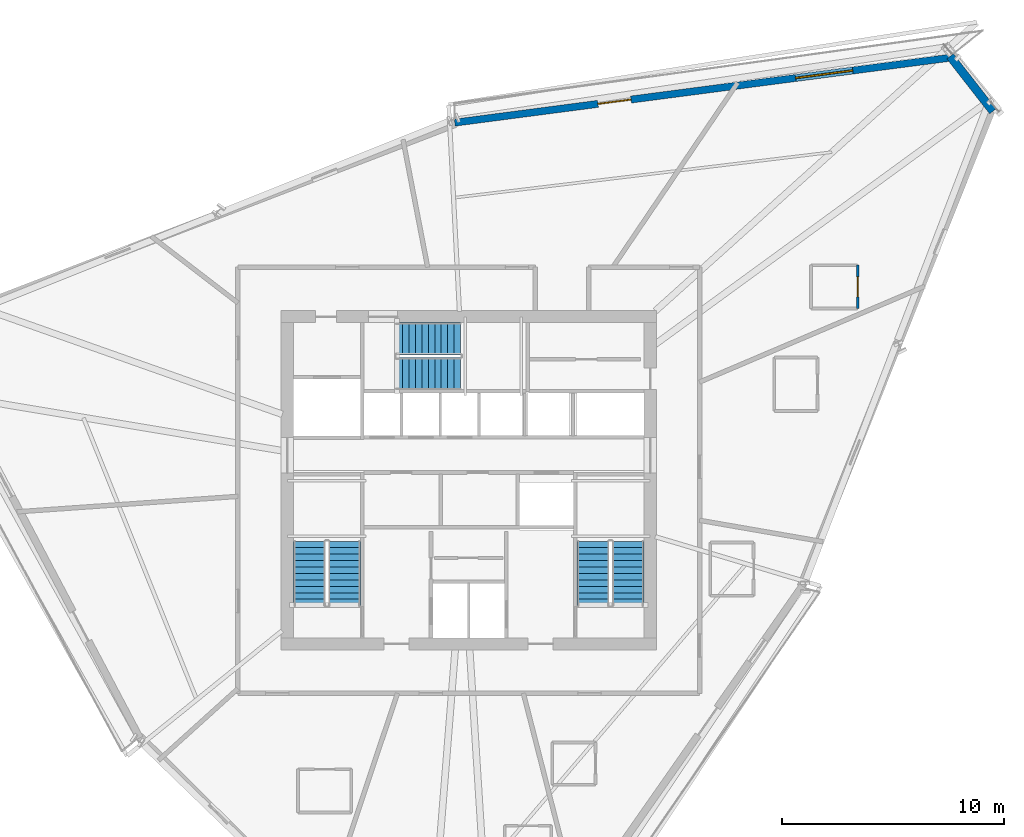
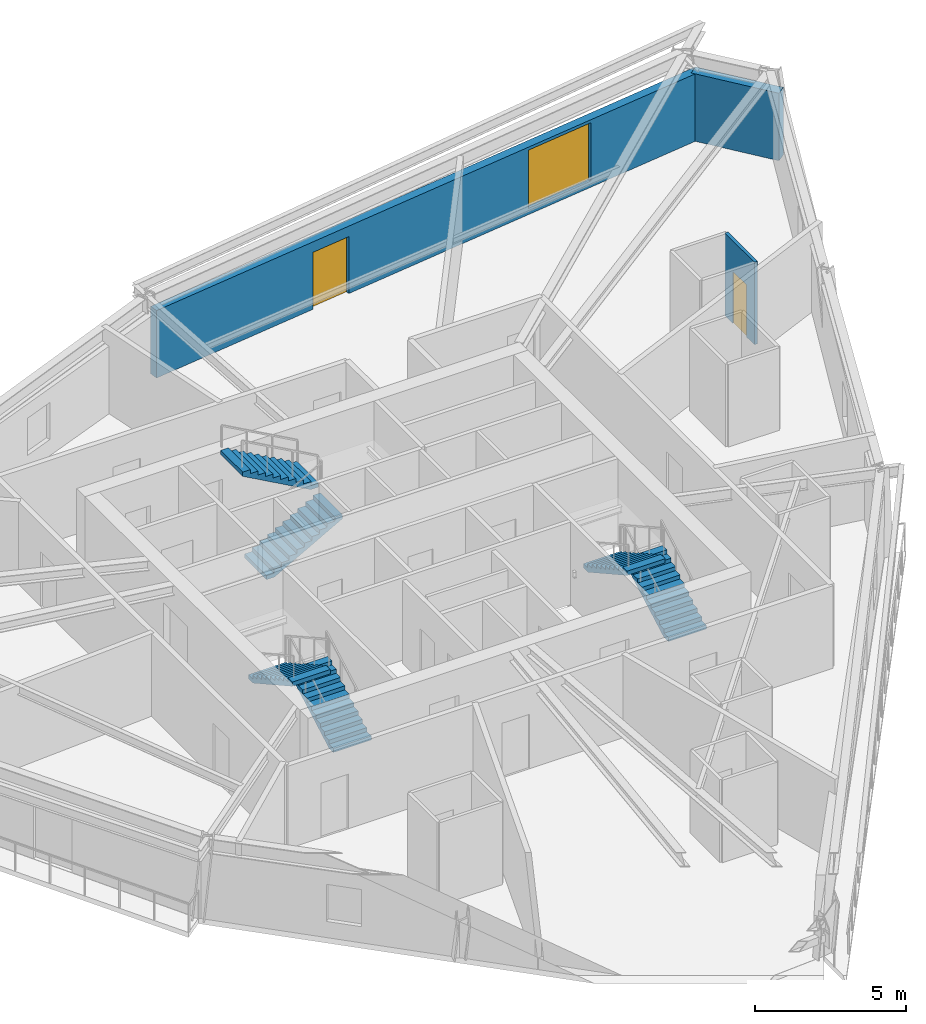
# One storey, part 10 of 13: 6 stair flights, 3 walls, 2 doors, 1 window, 3 openings, 3 elements without a shape of their own.
"""IFC4 building model written with IfcOpenShell, lengths in metres."""

from ifc_helpers import new_model, si_unit, direction, frame, frame_2d, origin, place, context, subcontext, project, spatial, polyline, rectangle, outline, extrude, source, transform, mapped, material, layer, layer_set, type_object, type_shapes, element, fill, aggregate, save


model = new_model("IFC4")

# Units and contexts
model_context = context("Model", 3, precision=1e-05, world=origin(), true_north=direction((0.0, 1.0)))
body_context = subcontext(model_context, "Body", "Model", "MODEL_VIEW")
ifc_project = project(units=[si_unit("LENGTHUNIT", "METRE"), si_unit("AREAUNIT", "SQUARE_METRE"), si_unit("VOLUMEUNIT", "CUBIC_METRE"), si_unit("PLANEANGLEUNIT", "RADIAN"), si_unit("MASSUNIT", "GRAM", prefix="KILO")], contexts=[model_context])

# Site, building, storey
site_placement = place(None, origin())
site = spatial("IfcSite", under=ifc_project, at=site_placement, CompositionType="ELEMENT")
building_placement = place(site_placement, origin())
building = spatial("IfcBuilding", under=site, at=building_placement, Name="Olszyna Solenne Hotel", CompositionType="ELEMENT")
storey_placement = place(building_placement, frame((0.0, 0.0, 189.199951171875)))
storey = spatial("IfcBuildingStorey", under=building, at=storey_placement, Name="L50", CompositionType="ELEMENT", Elevation=189.199951171875)

# Wall, openings, door, window
ifc_material_1 = material(Name="Precast concrete C45/55", Category="concrete")
ifc_layer_1 = layer(ifc_material_1, 0.320068359375, Name="Precast concrete C45/55")
ifc_layer_set_1 = layer_set([ifc_layer_1], Name="Precast concrete C45/55")
wall_type_1 = type_object("IfcWallType", Name="WL-EX320", PredefinedType="SOLIDWALL", material=ifc_layer_set_1)
wall_1_placement = place(storey_placement, frame((37.3701171875, 42.714599609375, 0.0), z_axis=(0.0, 0.0, 1.0), x_axis=(0.991528786197, 0.129887128474, 0.0)))
wall_1 = element("IfcWall", 1, at=wall_1_placement, inside=storey, type_object=wall_type_1, Name="Exterior terracotta-precast frame wall WL-EX320 EW-L50-08", PredefinedType="SOLIDWALL", context=body_context, shape_type="SweptSolid", body=[
    extrude(rectangle(XDim=22.685302734375, YDim=0.320068359375, at=frame_2d((11.3427734375, 0.0))), origin(), (0.0, 0.0, 1.0), 2.72216796875),
])
opening_1_placement = place(wall_1_placement, frame((6.509033203125, 0.0, 0.0)))
opening_1 = element("IfcOpeningElement", 2, at=opening_1_placement, cuts=wall_1, Name="Opening LDG-L50-1", PredefinedType="OPENING", context=body_context, shape_type="SweptSolid", body=[
    extrude(rectangle(XDim=1.5, YDim=2.300048828125, at=frame_2d((0.75, 1.14990234375))), frame((0.0, 0.169921875, 0.0), z_axis=(0.0, -1.0, 0.0), x_axis=(1.0, 0.0, 0.0)), (0.0, 0.0, 1.0), 0.340087890625),
])
opening_2_placement = place(wall_1_placement, frame((15.487060546875, 0.0, 0.251953125)))
opening_2 = element("IfcOpeningElement", 3, at=opening_2_placement, cuts=wall_1, Name="Opening WN-L50-321", PredefinedType="OPENING", context=body_context, shape_type="SweptSolid", body=[
    extrude(rectangle(XDim=2.60009765625, YDim=2.35009765625, at=frame_2d((1.300048828125, 1.175048828125))), frame((0.0, 0.169921875, 0.0), z_axis=(0.0, -1.0, 0.0), x_axis=(1.0, 0.0, 0.0)), (0.0, 0.0, 1.0), 0.340087890625),
])
ifc_material_2 = material(Name="Anodised bronze aluminium", Category="aluminium")
door_type_1 = type_object("IfcDoorType", Name="DR-LG2", OperationType="DOUBLE_DOOR_SINGLE_SWING", PredefinedType="DOOR", material=ifc_material_2)
shared_shape_1 = source(origin(), body_context, "Body", "SweptSolid", [
    extrude(rectangle(XDim=1.5, YDim=2.300048828125, at=frame_2d((0.75, 1.14990234375))), frame((0.0, 0.02490234375, 0.0), z_axis=(0.0, -1.0, 0.0), x_axis=(1.0, 0.0, 0.0)), (0.0, 0.0, 1.0), 0.050048828125),
])
type_shapes(door_type_1, [shared_shape_1])
door_1_placement = place(opening_1_placement, origin())
door_1 = element("IfcDoor", 4, at=door_1_placement, inside=storey, type_object=door_type_1, Name="Exterior loggia balcony door DR-LG2 LDG-L50-1", OperationType="DOUBLE_DOOR_SINGLE_SWING", OverallHeight=2.300048828125, OverallWidth=1.5, PredefinedType="DOOR", context=body_context, shape_type="MappedRepresentation", body=[
    mapped(shared_shape_1, transform((0.0, 0.0, 0.0), x_axis=(1.0, 0.0, 0.0), y_axis=(0.0, 1.0, 0.0), z_axis=(0.0, 0.0, 1.0), scale=1.0)),
])
fill(opening_1, door_1)
ifc_material_3 = material(Name="Low-E triple glazing", Category="glass")
window_type = type_object("IfcWindowType", Name="WN-ST1", PartitioningType="SINGLE_PANEL", PredefinedType="WINDOW", material=ifc_material_3)
shared_shape_2 = source(origin(), body_context, "Body", "SweptSolid", [
    extrude(rectangle(XDim=2.60009765625, YDim=2.35009765625, at=frame_2d((1.300048828125, 1.175048828125))), frame((0.0, 0.030029296875, 0.0), z_axis=(0.0, -1.0, 0.0), x_axis=(1.0, 0.0, 0.0)), (0.0, 0.0, 1.0), 0.06005859375),
])
type_shapes(window_type, [shared_shape_2])
window_placement = place(opening_2_placement, origin())
window = element("IfcWindow", 5, at=window_placement, inside=storey, type_object=window_type, Name="Loggia room window WN-ST1 WN-L50-321", OverallHeight=2.35009765625, OverallWidth=2.60009765625, PartitioningType="SINGLE_PANEL", PredefinedType="WINDOW", context=body_context, shape_type="MappedRepresentation", body=[
    mapped(shared_shape_2, transform((0.0, 0.0, 0.0), x_axis=(1.0, 0.0, 0.0), y_axis=(0.0, 1.0, 0.0), z_axis=(0.0, 0.0, 1.0), scale=1.0)),
])
fill(opening_2, window)

# Wall
ifc_material_4 = material(Name="Terracotta cladding on precast concrete C45/55", Category="masonry")
ifc_layer_2 = layer(ifc_material_4, 0.3798828125, Name="Terracotta cladding on precast concrete C45/55")
ifc_layer_set_2 = layer_set([ifc_layer_2], Name="Terracotta cladding on precast concrete C45/55")
wall_type_2 = type_object("IfcWallType", Name="WL-EX380", PredefinedType="SOLIDWALL", material=ifc_layer_set_2)
wall_2_placement = place(storey_placement, frame((59.692626953125, 45.702880859375, 0.0), z_axis=(0.0, 0.0, 1.0), x_axis=(0.615044377404, -0.788492494463, 0.0)))
element("IfcWall", 6, at=wall_2_placement, inside=storey, type_object=wall_type_2, Name="Exterior terracotta-precast frame wall WL-EX380 EW-L50-09", PredefinedType="SOLIDWALL", context=body_context, shape_type="SweptSolid", body=[
    extrude(rectangle(XDim=3.137451171875, YDim=0.3798828125, at=frame_2d((1.56884765625, 0.0))), origin(), (0.0, 0.0, 1.0), 2.72216796875),
])

# Wall, opening, door
ifc_material_5 = material(Name="Acoustic gypsum partition", Category="gypsum")
ifc_layer_3 = layer(ifc_material_5, 0.125, Name="Acoustic gypsum partition")
ifc_layer_set_3 = layer_set([ifc_layer_3], Name="Acoustic gypsum partition")
wall_type_3 = type_object("IfcWallType", Name="WL-PT125", PredefinedType="PARTITIONING", material=ifc_layer_set_3)
wall_3_placement = place(storey_placement, frame((55.52587890625, 34.342041015625, 0.0), z_axis=(0.0, 0.0, 1.0), x_axis=(0.0, 1.0, 0.0)))
wall_3 = element("IfcWall", 7, at=wall_3_placement, inside=storey, type_object=wall_type_3, Name="Interior acoustic partition WL-PT125 PW-L50-2841", PredefinedType="PARTITIONING", context=body_context, shape_type="SweptSolid", body=[
    extrude(rectangle(XDim=1.949951171875, YDim=0.125, at=frame_2d((0.97509765625, 0.0))), origin(), (0.0, 0.0, 1.0), 3.330078125),
])
opening_3_placement = place(wall_3_placement, frame((0.52490234375, 0.0, 0.0)))
opening_3 = element("IfcOpeningElement", 8, at=opening_3_placement, cuts=wall_3, Name="Opening DR-L50-0688", PredefinedType="OPENING", context=body_context, shape_type="SweptSolid", body=[
    extrude(rectangle(XDim=0.89990234375, YDim=2.10009765625, at=frame_2d((0.449951171875, 1.050048828125))), frame((0.0, 0.072509765625, 0.0), z_axis=(0.0, -1.0, 0.0), x_axis=(1.0, 0.0, 0.0)), (0.0, 0.0, 1.0), 0.14501953125),
])
ifc_material_6 = material(Name="Timber hardwood", Category="wood")
door_type_2 = type_object("IfcDoorType", Name="DR-WC1", OperationType="NOTDEFINED", PredefinedType="DOOR", material=ifc_material_6)
shared_shape_3 = source(origin(), body_context, "Body", "SweptSolid", [
    extrude(rectangle(XDim=0.89990234375, YDim=2.10009765625, at=frame_2d((0.449951171875, 1.050048828125))), frame((0.0, 0.02490234375, 0.0), z_axis=(0.0, -1.0, 0.0), x_axis=(1.0, 0.0, 0.0)), (0.0, 0.0, 1.0), 0.050048828125),
])
type_shapes(door_type_2, [shared_shape_3])
door_2_placement = place(opening_3_placement, origin())
door_2 = element("IfcDoor", 9, at=door_2_placement, inside=storey, type_object=door_type_2, Name="En-Suite Bathroom Door DR-L50-0688", OperationType="SINGLE_SWING_LEFT", OverallHeight=2.10009765625, OverallWidth=0.89990234375, PredefinedType="DOOR", context=body_context, shape_type="MappedRepresentation", body=[
    mapped(shared_shape_3, transform((0.0, 0.0, 0.0), x_axis=(1.0, 0.0, 0.0), y_axis=(0.0, 1.0, 0.0), z_axis=(0.0, 0.0, 1.0), scale=1.0)),
])
fill(opening_3, door_2)

# Stair, stair flights
ifc_material_7 = material(Name="Concrete C40/50", Category="concrete")
stair_type = type_object("IfcStairType", Name="STR-C1", PredefinedType="TWO_QUARTER_WINDING_STAIR", material=ifc_material_7)
stair_1_placement = place(storey_placement, origin())
stair_1 = element("IfcStair", 10, at=stair_1_placement, inside=storey, type_object=stair_type, Name="L50 ST1", PredefinedType="TWO_QUARTER_WINDING_STAIR")
stair_flight_type = type_object("IfcStairFlightType", Name="FLT-C1", PredefinedType="STRAIGHT", material=ifc_material_7)
stair_flight_1_placement = place(storey_placement, frame((32.39501953125, 20.949951171875, 0.0), z_axis=(0.0, 0.0, 1.0), x_axis=(0.0, 1.0, 0.0)))
stair_flight_1 = element("IfcStairFlight", 11, at=stair_flight_1_placement, type_object=stair_flight_type, Name="ST1 flight 1", NumberOfRisers=11, NumberOfTreads=10, PredefinedType="STRAIGHT", RiserHeight=0.161363636, TreadLength=0.29, context=body_context, shape_type="SweptSolid", body=[
    extrude(outline(polyline([(0.0, 0.0), (0.0, 0.161376953125), (0.2900390625, 0.161376953125), (0.2900390625, 0.32275390625), (0.580078125, 0.32275390625), (0.580078125, 0.484130859375), (0.8701171875, 0.484130859375), (0.8701171875, 0.6455078125), (1.159912109375, 0.6455078125), (1.159912109375, 0.806884765625), (1.449951171875, 0.806884765625), (1.449951171875, 0.96826171875), (1.739990234375, 0.96826171875), (1.739990234375, 1.129638671875), (2.030029296875, 1.129638671875), (2.030029296875, 1.291015625), (2.320068359375, 1.291015625), (2.320068359375, 1.452392578125), (2.610107421875, 1.452392578125), (2.610107421875, 1.613525390625), (2.89990234375, 1.613525390625), (2.89990234375, 1.77490234375), (2.89990234375, 1.442138671875), (0.308349609375, 0.0), (0.0, 0.0)])), frame((0.0, 0.72509765625, 0.0), z_axis=(0.0, -1.0, 0.0), x_axis=(1.0, 0.0, 0.0)), (0.0, 0.0, 1.0), 1.449951171875),
])
stair_flight_2_placement = place(storey_placement, frame((30.824951171875, 23.85009765625, 1.775146484375), z_axis=(0.0, 0.0, 1.0), x_axis=(0.0, -1.0, 0.0)))
stair_flight_2 = element("IfcStairFlight", 12, at=stair_flight_2_placement, type_object=stair_flight_type, Name="ST1 flight 2", NumberOfRisers=11, NumberOfTreads=10, PredefinedType="STRAIGHT", RiserHeight=0.161363636, TreadLength=0.29, context=body_context, shape_type="SweptSolid", body=[
    extrude(outline(polyline([(0.0, 0.0), (0.0, 0.161376953125), (0.2900390625, 0.161376953125), (0.2900390625, 0.32275390625), (0.580078125, 0.32275390625), (0.580078125, 0.484130859375), (0.8701171875, 0.484130859375), (0.8701171875, 0.6455078125), (1.159912109375, 0.6455078125), (1.159912109375, 0.806884765625), (1.449951171875, 0.806884765625), (1.449951171875, 0.96826171875), (1.739990234375, 0.96826171875), (1.739990234375, 1.129638671875), (2.030029296875, 1.129638671875), (2.030029296875, 1.291015625), (2.320068359375, 1.291015625), (2.320068359375, 1.452392578125), (2.610107421875, 1.452392578125), (2.610107421875, 1.613525390625), (2.89990234375, 1.613525390625), (2.89990234375, 1.77490234375), (2.89990234375, 1.442138671875), (0.308349609375, 0.0), (0.0, 0.0)])), frame((0.0, 0.72509765625, 0.0), z_axis=(0.0, -1.0, 0.0), x_axis=(1.0, 0.0, 0.0)), (0.0, 0.0, 1.0), 1.449951171875),
])
aggregate(stair_1, [stair_flight_1, stair_flight_2])

stair_2_placement = place(storey_placement, origin())
stair_2 = element("IfcStair", 13, at=stair_2_placement, inside=storey, type_object=stair_type, Name="L50 ST2", PredefinedType="TWO_QUARTER_WINDING_STAIR")
stair_flight_3_placement = place(storey_placement, frame((45.175048828125, 20.949951171875, 0.0), z_axis=(0.0, 0.0, 1.0), x_axis=(0.0, 1.0, 0.0)))
stair_flight_3 = element("IfcStairFlight", 14, at=stair_flight_3_placement, type_object=stair_flight_type, Name="ST2 flight 1", NumberOfRisers=11, NumberOfTreads=10, PredefinedType="STRAIGHT", RiserHeight=0.161363636, TreadLength=0.29, context=body_context, shape_type="SweptSolid", body=[
    extrude(outline(polyline([(0.0, 0.0), (0.0, 0.161376953125), (0.2900390625, 0.161376953125), (0.2900390625, 0.32275390625), (0.580078125, 0.32275390625), (0.580078125, 0.484130859375), (0.8701171875, 0.484130859375), (0.8701171875, 0.6455078125), (1.159912109375, 0.6455078125), (1.159912109375, 0.806884765625), (1.449951171875, 0.806884765625), (1.449951171875, 0.96826171875), (1.739990234375, 0.96826171875), (1.739990234375, 1.129638671875), (2.030029296875, 1.129638671875), (2.030029296875, 1.291015625), (2.320068359375, 1.291015625), (2.320068359375, 1.452392578125), (2.610107421875, 1.452392578125), (2.610107421875, 1.613525390625), (2.89990234375, 1.613525390625), (2.89990234375, 1.77490234375), (2.89990234375, 1.442138671875), (0.308349609375, 0.0), (0.0, 0.0)])), frame((0.0, 0.72509765625, 0.0), z_axis=(0.0, -1.0, 0.0), x_axis=(1.0, 0.0, 0.0)), (0.0, 0.0, 1.0), 1.449951171875),
])
stair_flight_4_placement = place(storey_placement, frame((43.60498046875, 23.85009765625, 1.775146484375), z_axis=(0.0, 0.0, 1.0), x_axis=(0.0, -1.0, 0.0)))
stair_flight_4 = element("IfcStairFlight", 15, at=stair_flight_4_placement, type_object=stair_flight_type, Name="ST2 flight 2", NumberOfRisers=11, NumberOfTreads=10, PredefinedType="STRAIGHT", RiserHeight=0.161363636, TreadLength=0.29, context=body_context, shape_type="SweptSolid", body=[
    extrude(outline(polyline([(0.0, 0.0), (0.0, 0.161376953125), (0.2900390625, 0.161376953125), (0.2900390625, 0.32275390625), (0.580078125, 0.32275390625), (0.580078125, 0.484130859375), (0.8701171875, 0.484130859375), (0.8701171875, 0.6455078125), (1.159912109375, 0.6455078125), (1.159912109375, 0.806884765625), (1.449951171875, 0.806884765625), (1.449951171875, 0.96826171875), (1.739990234375, 0.96826171875), (1.739990234375, 1.129638671875), (2.030029296875, 1.129638671875), (2.030029296875, 1.291015625), (2.320068359375, 1.291015625), (2.320068359375, 1.452392578125), (2.610107421875, 1.452392578125), (2.610107421875, 1.613525390625), (2.89990234375, 1.613525390625), (2.89990234375, 1.77490234375), (2.89990234375, 1.442138671875), (0.308349609375, 0.0), (0.0, 0.0)])), frame((0.0, 0.72509765625, 0.0), z_axis=(0.0, -1.0, 0.0), x_axis=(1.0, 0.0, 0.0)), (0.0, 0.0, 1.0), 1.449951171875),
])
aggregate(stair_2, [stair_flight_3, stair_flight_4])

stair_3_placement = place(storey_placement, origin())
stair_3 = element("IfcStair", 16, at=stair_3_placement, inside=storey, type_object=stair_type, Name="L50 ST3", PredefinedType="TWO_QUARTER_WINDING_STAIR")
stair_flight_5_placement = place(storey_placement, frame((34.72998046875, 31.405029296875, 0.0), z_axis=(0.0, 0.0, 1.0), x_axis=(1.0, 0.0, 0.0)))
stair_flight_5 = element("IfcStairFlight", 17, at=stair_flight_5_placement, type_object=stair_flight_type, Name="ST3 flight 1", NumberOfRisers=11, NumberOfTreads=10, PredefinedType="STRAIGHT", RiserHeight=0.161363636, TreadLength=0.29, context=body_context, shape_type="SweptSolid", body=[
    extrude(outline(polyline([(0.0, 0.0), (0.0, 0.161376953125), (0.2900390625, 0.161376953125), (0.2900390625, 0.32275390625), (0.580078125, 0.32275390625), (0.580078125, 0.484130859375), (0.8701171875, 0.484130859375), (0.8701171875, 0.6455078125), (1.159912109375, 0.6455078125), (1.159912109375, 0.806884765625), (1.449951171875, 0.806884765625), (1.449951171875, 0.96826171875), (1.739990234375, 0.96826171875), (1.739990234375, 1.129638671875), (2.030029296875, 1.129638671875), (2.030029296875, 1.291015625), (2.320068359375, 1.291015625), (2.320068359375, 1.452392578125), (2.610107421875, 1.452392578125), (2.610107421875, 1.613525390625), (2.89990234375, 1.613525390625), (2.89990234375, 1.77490234375), (2.89990234375, 1.442138671875), (0.308349609375, 0.0), (0.0, 0.0)])), frame((0.0, 0.72509765625, 0.0), z_axis=(0.0, -1.0, 0.0), x_axis=(1.0, 0.0, 0.0)), (0.0, 0.0, 1.0), 1.449951171875),
])
stair_flight_6_placement = place(storey_placement, frame((37.6298828125, 32.97509765625, 1.775146484375), z_axis=(0.0, 0.0, 1.0), x_axis=(-1.0, 0.0, 0.0)))
stair_flight_6 = element("IfcStairFlight", 18, at=stair_flight_6_placement, type_object=stair_flight_type, Name="ST3 flight 2", NumberOfRisers=11, NumberOfTreads=10, PredefinedType="STRAIGHT", RiserHeight=0.161363636, TreadLength=0.29, context=body_context, shape_type="SweptSolid", body=[
    extrude(outline(polyline([(0.0, 0.0), (0.0, 0.161376953125), (0.2900390625, 0.161376953125), (0.2900390625, 0.32275390625), (0.580078125, 0.32275390625), (0.580078125, 0.484130859375), (0.8701171875, 0.484130859375), (0.8701171875, 0.6455078125), (1.159912109375, 0.6455078125), (1.159912109375, 0.806884765625), (1.449951171875, 0.806884765625), (1.449951171875, 0.96826171875), (1.739990234375, 0.96826171875), (1.739990234375, 1.129638671875), (2.030029296875, 1.129638671875), (2.030029296875, 1.291015625), (2.320068359375, 1.291015625), (2.320068359375, 1.452392578125), (2.610107421875, 1.452392578125), (2.610107421875, 1.613525390625), (2.89990234375, 1.613525390625), (2.89990234375, 1.77490234375), (2.89990234375, 1.442138671875), (0.308349609375, 0.0), (0.0, 0.0)])), frame((0.0, 0.72509765625, 0.0), z_axis=(0.0, -1.0, 0.0), x_axis=(1.0, 0.0, 0.0)), (0.0, 0.0, 1.0), 1.449951171875),
])
aggregate(stair_3, [stair_flight_5, stair_flight_6])

save(model, "model.ifc")
